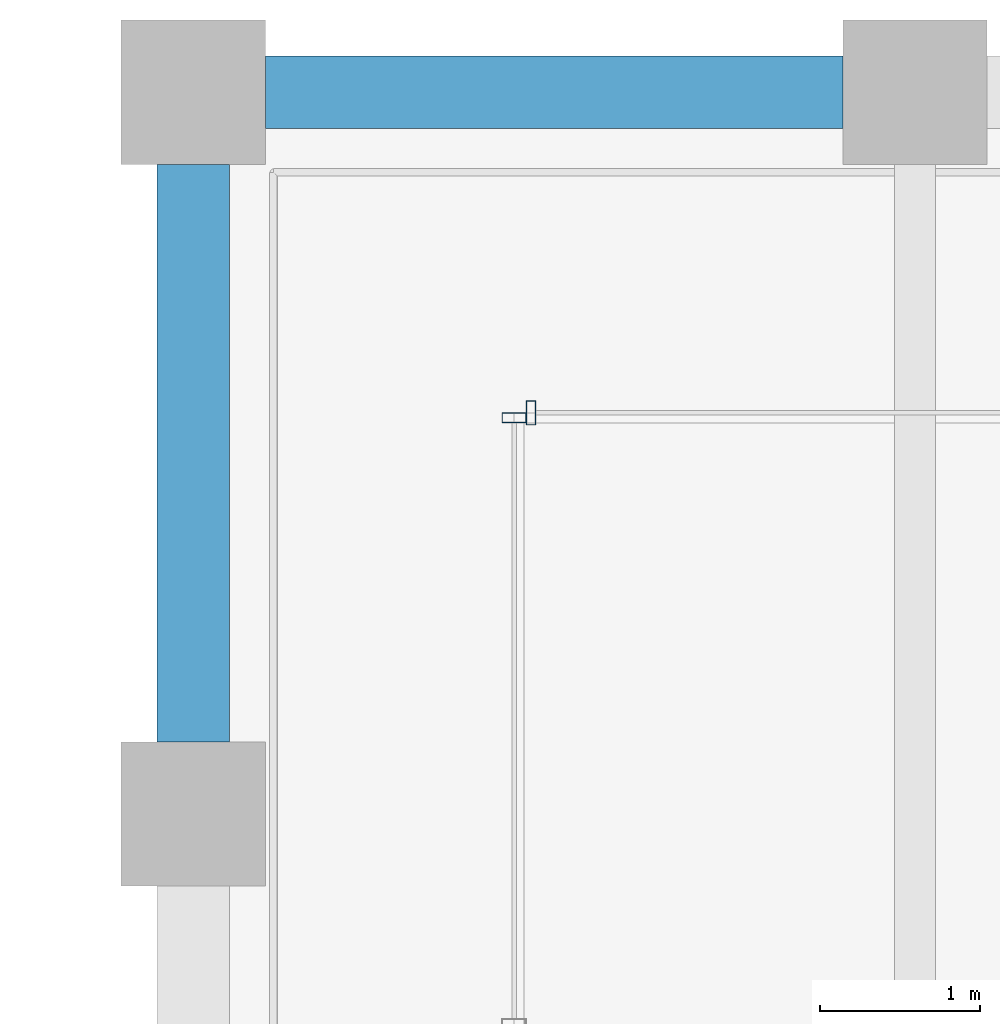
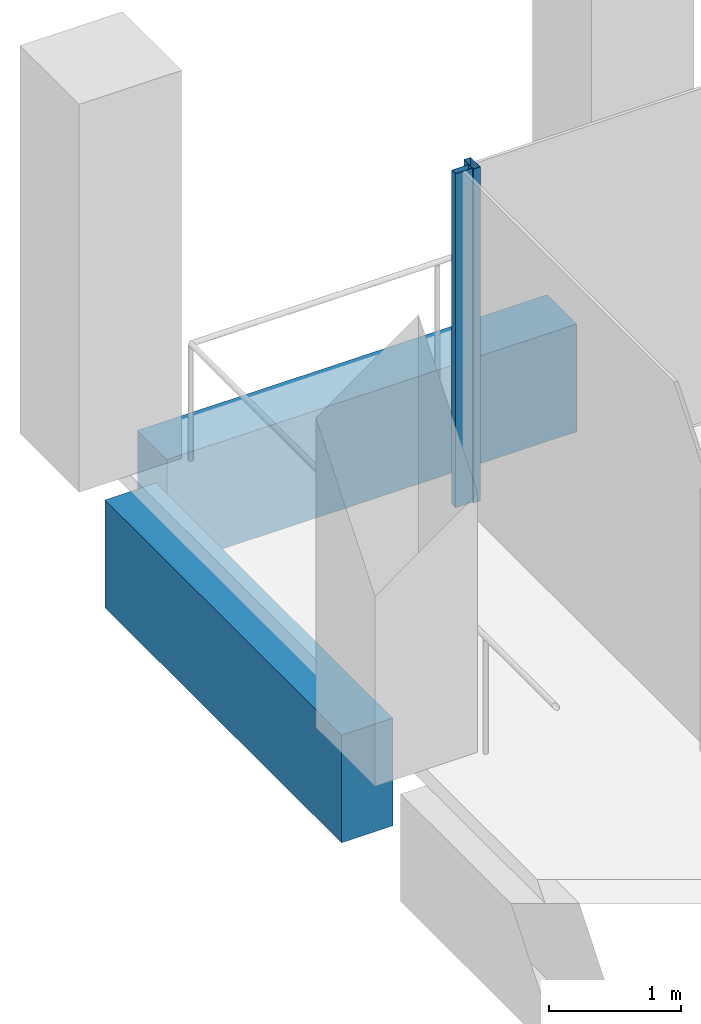
# One storey, part 21 of 40: 2 beams, 2 members, 2 elements without a shape of their own.
"""IFC4 building model written with IfcOpenShell, lengths in metres."""

from ifc_helpers import new_model, si_unit, direction, frame, origin, origin_2d, place, context, subcontext, project, spatial, rectangle, hollow_rectangle, extrude, material, material_profile, profile_set, type_object, element, aggregate, save


model = new_model("IFC4")

# Units and contexts
model_context = context("Model", 3, precision=1e-05, world=origin(), true_north=direction((0.0, 1.0)))
body_context = subcontext(model_context, "Body", "Model", "MODEL_VIEW")
ifc_project = project(units=[si_unit("LENGTHUNIT", "METRE"), si_unit("AREAUNIT", "SQUARE_METRE"), si_unit("VOLUMEUNIT", "CUBIC_METRE"), si_unit("PLANEANGLEUNIT", "RADIAN"), si_unit("MASSUNIT", "GRAM", prefix="KILO")], contexts=[model_context])

# Site, building, storey
site_placement = place(None, origin())
site = spatial("IfcSite", under=ifc_project, at=site_placement, CompositionType="ELEMENT")
building_placement = place(site_placement, origin())
building = spatial("IfcBuilding", under=site, at=building_placement, Name="Altepetl Exchange Towers", CompositionType="ELEMENT")
storey_placement = place(building_placement, frame((0.0, 0.0, 176.199951171875)))
storey = spatial("IfcBuildingStorey", under=building, at=storey_placement, Name="L44", CompositionType="ELEMENT", Elevation=176.199951171875)

# Curtain wall, member
ifc_material_1 = material(Name="Aluminium 6063-T6 glazing", Category="aluminium")
curtain_wall_type = type_object("IfcCurtainWallType", Name="Loggia glazing system", PredefinedType="NOTDEFINED", material=ifc_material_1)
curtain_wall_1_placement = place(storey_placement, origin())
curtain_wall_1 = element("IfcCurtainWall", 1, at=curtain_wall_1_placement, inside=storey, type_object=curtain_wall_type, Name="CW1 run", PredefinedType="NOTDEFINED")
ifc_material_2 = material(Name="Aluminium 6063-T6", Category="aluminium")
ifc_material_profile_1 = material_profile(ifc_material_2, hollow_rectangle(XDim=0.06005859375, YDim=0.14990234375, WallThickness=0.0029296875, at=origin_2d()), Name="Mullion 60x150 aluminium")
ifc_profile_set_1 = profile_set([ifc_material_profile_1], Name="Aluminium 6063-T6")
member_type = type_object("IfcMemberType", Name="Mullion 60x150 aluminium", PredefinedType="MULLION", material=ifc_profile_set_1)
member_1_placement = place(storey_placement, frame((42.60498046875, 70.0, 0.0), z_axis=(0.0, 0.0, 1.0), x_axis=(-1.0, 0.0, 0.0)))
member_1 = element("IfcMember", 2, at=member_1_placement, type_object=member_type, Name="MU1 mullion", PredefinedType="MULLION", context=body_context, shape_type="SweptSolid", body=[
    extrude(hollow_rectangle(XDim=0.06005859375, YDim=0.14990234375, WallThickness=0.0029296875, at=origin_2d()), origin(), (0.0, 0.0, 1.0), 3.10009765625),
])
aggregate(curtain_wall_1, [member_1])

curtain_wall_2_placement = place(storey_placement, origin())
curtain_wall_2 = element("IfcCurtainWall", 3, at=curtain_wall_2_placement, inside=storey, type_object=curtain_wall_type, Name="CW1 run", PredefinedType="NOTDEFINED")
member_2_placement = place(storey_placement, frame((42.5, 69.969970703125, 0.0), z_axis=(0.0, 0.0, 1.0), x_axis=(0.0, -1.0, 0.0)))
member_2 = element("IfcMember", 4, at=member_2_placement, type_object=member_type, Name="MU1 mullion", PredefinedType="MULLION", context=body_context, shape_type="SweptSolid", body=[
    extrude(hollow_rectangle(XDim=0.06005859375, YDim=0.14990234375, WallThickness=0.0029296875, at=origin_2d()), origin(), (0.0, 0.0, 1.0), 3.10009765625),
])
aggregate(curtain_wall_2, [member_2])

# Beams
ifc_material_3 = material(Name="Concrete C50/60 precast with cantera rosa facing", Category="concrete")
ifc_material_profile_2 = material_profile(ifc_material_3, rectangle(XDim=0.449951171875, YDim=1.0, at=origin_2d()), Name="450 x 1000")
ifc_profile_set_2 = profile_set([ifc_material_profile_2], Name="Concrete C50/60 precast with cantera rosa facing")
beam_type_1 = type_object("IfcBeamType", Name="Spandrel beam 450x1000 cantera rosa", PredefinedType="SPANDREL", material=ifc_profile_set_2)
beam_1_placement = place(storey_placement, frame((44.550048828125, 72.0, -0.64990234375), z_axis=(-1.0, 0.0, 0.0), x_axis=(0.0, -1.0, 0.0)))
element("IfcBeam", 5, at=beam_1_placement, inside=storey, type_object=beam_type_1, Name="sp:A:L44:029", PredefinedType="SPANDREL", context=body_context, shape_type="SweptSolid", body=[
    extrude(rectangle(XDim=0.449951171875, YDim=1.0, at=origin_2d()), origin(), (0.0, 0.0, 1.0), 3.60009765625),
])
ifc_material_4 = material(Name="Concrete C50/60 precast with tezontle facing", Category="concrete")
ifc_material_profile_3 = material_profile(ifc_material_4, rectangle(XDim=0.449951171875, YDim=1.0, at=origin_2d()), Name="450 x 1000")
ifc_profile_set_3 = profile_set([ifc_material_profile_3], Name="Concrete C50/60 precast with tezontle facing")
beam_type_2 = type_object("IfcBeamType", Name="Spandrel beam 450x1000 tezontle", PredefinedType="SPANDREL", material=ifc_profile_set_3)
beam_2_placement = place(storey_placement, frame((40.5, 71.550048828125, -0.64990234375), z_axis=(0.0, -1.0, 0.0), x_axis=(1.0, 0.0, 0.0)))
element("IfcBeam", 6, at=beam_2_placement, inside=storey, type_object=beam_type_2, Name="sp:A:L44:030", PredefinedType="SPANDREL", context=body_context, shape_type="SweptSolid", body=[
    extrude(rectangle(XDim=0.449951171875, YDim=1.0, at=origin_2d()), origin(), (0.0, 0.0, 1.0), 3.60009765625),
])

save(model, "model.ifc")
